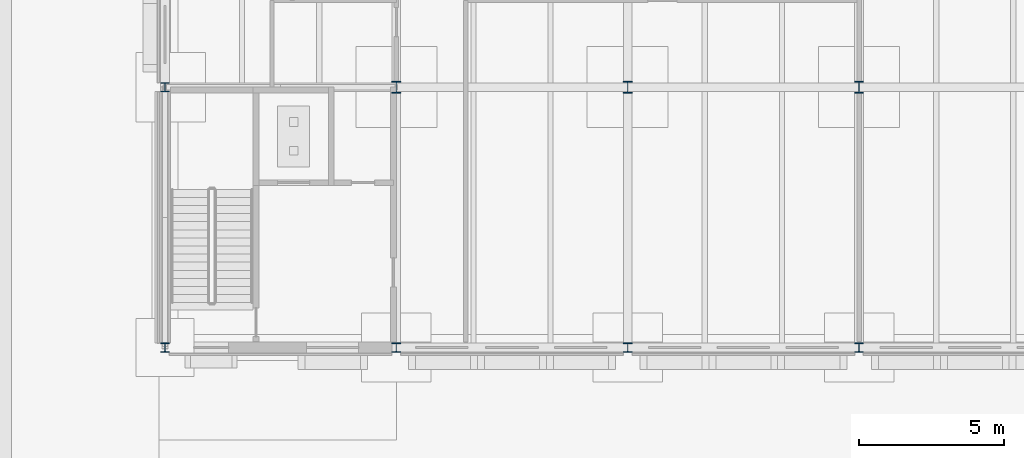
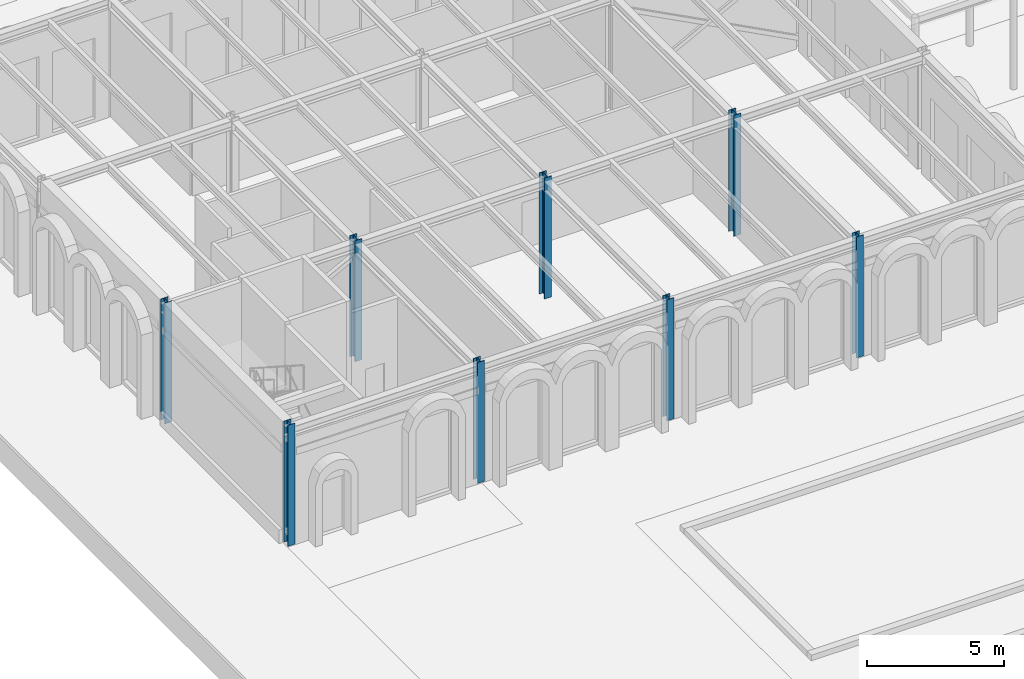
# One storey, part 14 of 126: 8 columns.
"""IFC4 building model written with IfcOpenShell, lengths in metres."""

import ifcopenshell
import ifcopenshell.guid

model = None  # the IFC model being written
_history = None  # IfcOwnerHistory: only IFC2X3 demands one
_inside = {}  # id of a spatial element -> (the spatial element, [elements in it])
_under = {}  # id of a project, library or spatial element -> (it, [spatial elements below it])
_declared = {}  # id of a project -> (the project, [libraries it declares])
_typed = {}  # id of a type object -> (the type object, [elements of that type])
_made_of = {}  # id of a material, layer set ... -> (it, [elements and type objects made of it])


def new_model(schema):
    """Start an empty IFC model of exactly this schema.

    Asked for "IFC4X3", IfcOpenShell would pick the latest addendum, in which some entities
    have other attributes; the version numbers below select the first issue.
    IFC2X3 requires an IfcOwnerHistory on every rooted entity: one is made here for all.
    """
    global model, _history
    if schema == "IFC4X3":
        model = ifcopenshell.file(schema_version=(4, 3, 0, 0))
    else:
        model = ifcopenshell.file(schema=schema)
    _inside.clear()
    _under.clear()
    _declared.clear()
    _typed.clear()
    _made_of.clear()
    _history = None
    if model.schema == "IFC2X3":
        org = make("IfcOrganization", Name="unknown")
        user = make(
            "IfcPersonAndOrganization",
            ThePerson=make("IfcPerson", FamilyName="unknown"),
            TheOrganization=org,
        )
        app = make(
            "IfcApplication",
            ApplicationDeveloper=org,
            Version="unknown",
            ApplicationFullName="unknown",
            ApplicationIdentifier="unknown",
        )
        _history = make(
            "IfcOwnerHistory",
            OwningUser=user,
            OwningApplication=app,
            ChangeAction="ADDED",
            CreationDate=0,
        )
    return model


def make(cls, **values):
    """One entity of the class cls with the attributes given. An attribute that is None is left unset."""
    return model.create_entity(
        cls, **{name: value for name, value in values.items() if value is not None}
    )


def rooted(cls, **values):
    """An entity with a GlobalId (a new one), such as an element, a storey or a relation."""
    return make(cls, GlobalId=ifcopenshell.guid.new(), OwnerHistory=_history, **values)


def si_unit(unit_type, name, prefix=None):
    """IfcSIUnit, for example si_unit("LENGTHUNIT", "METRE", prefix="MILLI")."""
    return make("IfcSIUnit", UnitType=unit_type, Prefix=prefix, Name=name)


def assignment(units):
    """IfcUnitAssignment: the units of a project."""
    return None if units is None else make("IfcUnitAssignment", Units=units)


def point(xyz):
    """IfcCartesianPoint."""
    return None if xyz is None else make("IfcCartesianPoint", Coordinates=xyz)


def direction(xyz):
    """IfcDirection."""
    return None if xyz is None else make("IfcDirection", DirectionRatios=xyz)


def frame(location, z_axis=None, x_axis=None):
    """IfcAxis2Placement3D, a coordinate frame: its origin and axes. An axis left out is left unset."""
    return make(
        "IfcAxis2Placement3D",
        Location=point(location),
        Axis=direction(z_axis),
        RefDirection=direction(x_axis),
    )


def frame_2d(location, x_axis=None):
    """IfcAxis2Placement2D, a coordinate frame in the plane: its origin and x axis."""
    return make(
        "IfcAxis2Placement2D", Location=point(location), RefDirection=direction(x_axis)
    )


def origin():
    """The frame at (0, 0, 0) with its axes left unset."""
    return frame((0.0, 0.0, 0.0))


def origin_2d():
    """The frame at (0, 0) in the plane with its x axis left unset."""
    return frame_2d((0.0, 0.0))


def place(relative_to, where):
    """IfcLocalPlacement: puts the frame where relative to a parent placement (None: the world)."""
    return make(
        "IfcLocalPlacement", PlacementRelTo=relative_to, RelativePlacement=where
    )


def context(
    kind, dimensions, precision=None, world=None, true_north=None, identifier=None
):
    """IfcGeometricRepresentationContext, for example the 3D "Model" context."""
    return make(
        "IfcGeometricRepresentationContext",
        ContextIdentifier=identifier,
        ContextType=kind,
        CoordinateSpaceDimension=dimensions,
        Precision=precision,
        WorldCoordinateSystem=world,
        TrueNorth=true_north,
    )


def subcontext(parent, identifier, kind, view, scale=None):
    """IfcGeometricRepresentationSubContext, for example "Body" below "Model"."""
    return make(
        "IfcGeometricRepresentationSubContext",
        ContextIdentifier=identifier,
        ContextType=kind,
        ParentContext=parent,
        TargetScale=scale,
        TargetView=view,
    )


def project(units=None, contexts=None):
    """IfcProject with its units and contexts."""
    return rooted(
        "IfcProject",
        Name="project",
        RepresentationContexts=contexts,
        UnitsInContext=assignment(units),
    )


def spatial(cls, under=None, at=None, **own):
    """A site, building, storey or space (cls), placed at a placement, below another one or the project."""
    s = rooted(cls, ObjectPlacement=at, **own)
    if under is not None:
        _under.setdefault(under.id(), (under, []))[1].append(s)
    return s


def profile(cls, at=None, kind="AREA", **sizes):
    """A parametric profile (cls). Its sizes go by their IFC names, for example OverallWidth=200.0."""
    return make(cls, ProfileType=kind, Position=at, **sizes)


def i_section(**sizes):
    """IfcIShapeProfileDef."""
    return profile("IfcIShapeProfileDef", **sizes)


def extrude(swept, where, along, depth):
    """IfcExtrudedAreaSolid: the profile swept, set in the frame where, extruded along a direction by depth."""
    return make(
        "IfcExtrudedAreaSolid",
        SweptArea=swept,
        Position=where,
        ExtrudedDirection=direction(along),
        Depth=depth,
    )


def shape(context_of_items, identifier, shape_type, items):
    """IfcShapeRepresentation: the items that make up one representation, for example the "Body"."""
    return make(
        "IfcShapeRepresentation",
        ContextOfItems=context_of_items,
        RepresentationIdentifier=identifier,
        RepresentationType=shape_type,
        Items=items,
    )


def material(Name=None, Category=None):
    """IfcMaterial."""
    return make("IfcMaterial", Name=Name, Category=Category)


def material_profile(
    of_material, cross_section, Name=None, Category=None, Priority=None
):
    """IfcMaterialProfile: a cross section and its material."""
    return make(
        "IfcMaterialProfile",
        Name=Name,
        Material=of_material,
        Profile=cross_section,
        Priority=Priority,
        Category=Category,
    )


def profile_set(profiles, Name=None, composite=None):
    """IfcMaterialProfileSet."""
    return make(
        "IfcMaterialProfileSet",
        Name=Name,
        MaterialProfiles=profiles,
        CompositeProfile=composite,
    )


def made_of(thing, what):
    """Note that an element or type object is made of a material, layer set ...; save() writes the relation."""
    if what is not None:
        _made_of.setdefault(what.id(), (what, []))[1].append(thing)
    return thing


def type_object(cls, material=None, **own):
    """A type object (cls), such as IfcWallType, which elements share."""
    return made_of(rooted(cls, **own), material)


def element(
    cls,
    number,
    at=None,
    inside=None,
    cuts=None,
    type_object=None,
    material=None,
    context=None,
    identifier="Body",
    shape_type=None,
    held_by="IfcProductDefinitionShape",
    body=None,
    shapes=None,
    **own,
):
    """One element of the class cls, such as IfcWall. Its Tag is "e" and its number.

    at: its placement. inside: the storey or other place that contains it. cuts: it is an
    opening in that element (IfcRelVoidsElement). A single representation is given by context,
    identifier, shape_type and body (its items); several are given by shapes. held_by: the class
    of the entity that holds the representations. save() writes the other relations.
    """
    e = rooted(cls, Tag="e%d" % number, ObjectPlacement=at, **own)
    if body is not None:
        shapes = [shape(context, identifier, shape_type, body)]
    if shapes is not None:
        e.Representation = make(held_by, Representations=shapes)
    if inside is not None:
        _inside.setdefault(inside.id(), (inside, []))[1].append(e)
    if cuts is not None:
        rooted(
            "IfcRelVoidsElement", RelatingBuildingElement=cuts, RelatedOpeningElement=e
        )
    if type_object is not None:
        _typed.setdefault(type_object.id(), (type_object, []))[1].append(e)
    return made_of(e, material)


def aggregate(whole, parts):
    """IfcRelAggregates: a whole, such as a stair, and the parts it consists of."""
    return rooted("IfcRelAggregates", RelatingObject=whole, RelatedObjects=parts)


def save(model, path):
    """Write the relations noted so far, then the file.

    IfcRelAggregates (storeys below a building ...), IfcRelContainedInSpatialStructure (elements
    in a storey), IfcRelDefinesByType, IfcRelAssociatesMaterial and IfcRelDeclares: one each for
    every whole, place, type object, material and project.
    """
    for whole, parts in _under.values():
        aggregate(whole, parts)
    for where, things in _inside.values():
        rooted(
            "IfcRelContainedInSpatialStructure",
            RelatedElements=things,
            RelatingStructure=where,
        )
    for kind, things in _typed.values():
        rooted("IfcRelDefinesByType", RelatedObjects=things, RelatingType=kind)
    for what, things in _made_of.values():
        rooted("IfcRelAssociatesMaterial", RelatedObjects=things, RelatingMaterial=what)
    for by, libraries in _declared.values():
        rooted("IfcRelDeclares", RelatingContext=by, RelatedDefinitions=libraries)
    model.write(path)


model = new_model("IFC4")

# Units and contexts
model_context = context("Model", 3, precision=1e-05, world=origin(), true_north=direction((0.0, 1.0)))
body_context = subcontext(model_context, "Body", "Model", "MODEL_VIEW")
ifc_project = project(units=[si_unit("LENGTHUNIT", "METRE"), si_unit("AREAUNIT", "SQUARE_METRE"), si_unit("VOLUMEUNIT", "CUBIC_METRE"), si_unit("PLANEANGLEUNIT", "RADIAN"), si_unit("MASSUNIT", "GRAM", prefix="KILO")], contexts=[model_context])

# Site, building, storey
site_placement = place(None, origin())
site = spatial("IfcSite", under=ifc_project, at=site_placement, CompositionType="ELEMENT")
building_placement = place(site_placement, origin())
building = spatial("IfcBuilding", under=site, at=building_placement, Name="Kallimachos Central Library", CompositionType="ELEMENT")
storey_placement = place(building_placement, origin())
storey = spatial("IfcBuildingStorey", under=building, at=storey_placement, Name="L00", CompositionType="ELEMENT", Elevation=0.0)

# Columns
ifc_material_1 = material(Name="Steel S355J2", Category="steel")
ifc_material_profile_1 = material_profile(ifc_material_1, i_section(OverallWidth=0.300048828125, OverallDepth=0.320068359375, WebThickness=0.011474609375, FlangeThickness=0.0205078125, FilletRadius=0.027099609375, at=origin_2d()), Name="HEB 320")
ifc_profile_set_1 = profile_set([ifc_material_profile_1], Name="Steel S355J2")
column_type_1 = type_object("IfcColumnType", Name="HEB 320 column", PredefinedType="COLUMN", material=ifc_profile_set_1)
for number, where, z_axis, x_axis, name in (
    (1, (6.0, 87.0, 0.0), (0.0, 0.0, 1.0), (1.0, 0.0, 0.0), "V2-COL-L00-001"),
    (2, (6.0, 96.0, 0.0), (0.0, 0.0, 1.0), (1.0, 0.0, 0.0), "V2-COL-L00-002"),
    (3, (14.0, 87.0, 0.0), (0.0, 0.0, 1.0), (1.0, 0.0, 0.0), "V2-COL-L00-005"),
    (4, (22.0, 87.0, 0.0), (0.0, 0.0, 1.0), (1.0, 0.0, 0.0), "V2-COL-L00-009"),
    (5, (30.0, 87.0, 0.0), (0.0, 0.0, 1.0), (1.0, 0.0, 0.0), "V2-COL-L00-013"),
):
    element("IfcColumn", number, at=place(storey_placement, frame(where, z_axis=z_axis, x_axis=x_axis)), inside=storey, type_object=column_type_1, Name=name, PredefinedType="COLUMN", context=body_context, shape_type="SweptSolid", body=[
        extrude(i_section(OverallWidth=0.300048828125, OverallDepth=0.320068359375, WebThickness=0.011474609375, FlangeThickness=0.0205078125, FilletRadius=0.027099609375, at=origin_2d()), origin(), (0.0, 0.0, 1.0), 5.39990234375),
    ])
ifc_material_2 = material(Name="Steel S355J2", Category="steel")
ifc_material_profile_2 = material_profile(ifc_material_2, i_section(OverallWidth=0.300048828125, OverallDepth=0.39990234375, WebThickness=0.013427734375, FlangeThickness=0.02392578125, FilletRadius=0.027099609375, at=origin_2d()), Name="HEB 400")
ifc_profile_set_2 = profile_set([ifc_material_profile_2], Name="Steel S355J2")
column_type_2 = type_object("IfcColumnType", Name="HEB 400 column", PredefinedType="COLUMN", material=ifc_profile_set_2)
for number, where, z_axis, x_axis, name in (
    (6, (14.0, 96.0, 0.0), (0.0, 0.0, 1.0), (1.0, 0.0, 0.0), "V2-COL-L00-006"),
    (7, (22.0, 96.0, 0.0), (0.0, 0.0, 1.0), (1.0, 0.0, 0.0), "V2-COL-L00-010"),
    (8, (30.0, 96.0, 0.0), (0.0, 0.0, 1.0), (1.0, 0.0, 0.0), "V2-COL-L00-014"),
):
    element("IfcColumn", number, at=place(storey_placement, frame(where, z_axis=z_axis, x_axis=x_axis)), inside=storey, type_object=column_type_2, Name=name, PredefinedType="COLUMN", context=body_context, shape_type="SweptSolid", body=[
        extrude(i_section(OverallWidth=0.300048828125, OverallDepth=0.39990234375, WebThickness=0.013427734375, FlangeThickness=0.02392578125, FilletRadius=0.027099609375, at=origin_2d()), origin(), (0.0, 0.0, 1.0), 5.39990234375),
    ])

save(model, "model.ifc")
